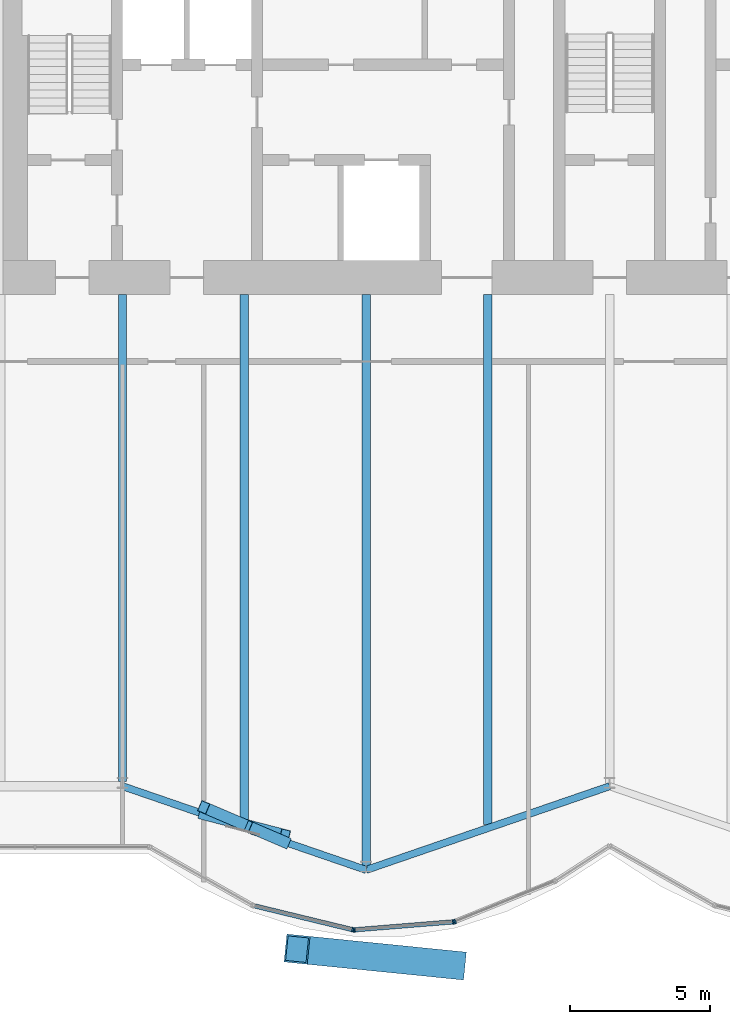
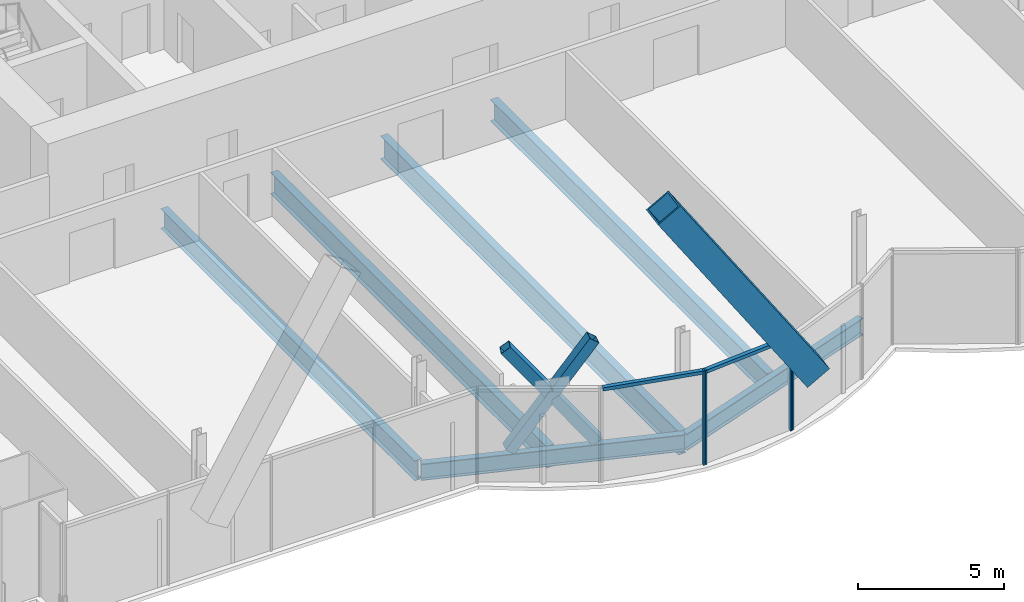
# One storey, part 6 of 21: 10 members, 6 beams, 1 element without a shape of its own.
"""IFC4 building model written with IfcOpenShell, lengths in metres."""

from ifc_helpers import new_model, si_unit, direction, frame, origin, origin_2d, place, context, subcontext, project, spatial, rectangle, hollow_rectangle, i_section, extrude, material, material_profile, profile_set, type_object, element, aggregate, save


model = new_model("IFC4")

# Units and contexts
model_context = context("Model", 3, precision=1e-05, world=origin(), true_north=direction((0.0, 1.0)))
body_context = subcontext(model_context, "Body", "Model", "MODEL_VIEW")
ifc_project = project(units=[si_unit("LENGTHUNIT", "METRE"), si_unit("AREAUNIT", "SQUARE_METRE"), si_unit("VOLUMEUNIT", "CUBIC_METRE"), si_unit("PLANEANGLEUNIT", "RADIAN"), si_unit("MASSUNIT", "GRAM", prefix="KILO")], contexts=[model_context])

# Site, building, storey
site_placement = place(None, origin())
site = spatial("IfcSite", under=ifc_project, at=site_placement, CompositionType="ELEMENT")
building_placement = place(site_placement, origin())
building = spatial("IfcBuilding", under=site, at=building_placement, Name="Bicima Exchange Tower", CompositionType="ELEMENT")
storey_placement = place(building_placement, frame((0.0, 0.0, 195.0)))
storey = spatial("IfcBuildingStorey", under=building, at=storey_placement, Name="L43", CompositionType="ELEMENT", Elevation=195.0)

# Member
ifc_material_1 = material(Name="Steel ASTM A572 Gr 50", Category="steel")
ifc_material_profile_1 = material_profile(ifc_material_1, hollow_rectangle(XDim=1.0, YDim=1.0, WallThickness=0.06005859375, at=origin_2d()))
ifc_profile_set_1 = profile_set([ifc_material_profile_1], Name="Steel ASTM A572 Gr 50")
member_type_1 = type_object("IfcMemberType", Name="Exo mega brace BOX 1000x1000x60", PredefinedType="BRACE", material=ifc_profile_set_1)
member_1_placement = place(storey_placement, frame((-5.583251953125, -36.955078125, 3.416748046875), z_axis=(-0.551958776189, 0.055582031551, 0.832016915187), x_axis=(-0.100192889286, -0.994968032118, 0.0)))
element("IfcMember", 1, at=member_1_placement, inside=storey, type_object=member_type_1, Name="Exo mega brace front", PredefinedType="BRACE", context=body_context, shape_type="SweptSolid", body=[
    extrude(hollow_rectangle(XDim=1.0, YDim=1.0, WallThickness=0.06005859375, at=origin_2d()), origin(), (0.0, 0.0, 1.0), 10.11572265625),
])

# Beams
ifc_material_2 = material(Name="Steel ASTM A992 Gr 50", Category="steel")
ifc_material_profile_2 = material_profile(ifc_material_2, i_section(OverallWidth=0.2919921875, OverallDepth=0.835693359375, WebThickness=0.013916015625, FlangeThickness=0.018798828125, at=origin_2d()))
ifc_profile_set_2 = profile_set([ifc_material_profile_2], Name="Steel ASTM A992 Gr 50")
beam_type_1 = type_object("IfcBeamType", Name="Floor beam W33x118", PredefinedType="JOIST", material=ifc_profile_set_2)
beam_1_placement = place(storey_placement, frame((-17.39990234375, -13.0, -0.56787109375), z_axis=(0.0, -1.0, 0.0), x_axis=(1.0, 0.0, 0.0)))
element("IfcBeam", 2, at=beam_1_placement, inside=storey, type_object=beam_type_1, Name="Floor beam", PredefinedType="JOIST", context=body_context, shape_type="SweptSolid", body=[
    extrude(i_section(OverallWidth=0.2919921875, OverallDepth=0.835693359375, WebThickness=0.013916015625, FlangeThickness=0.018798828125, at=origin_2d()), origin(), (0.0, 0.0, 1.0), 17.409423828125),
])
ifc_material_profile_3 = material_profile(ifc_material_2, i_section(OverallWidth=0.3046875, OverallDepth=0.904296875, WebThickness=0.01513671875, FlangeThickness=0.02001953125, at=origin_2d()))
ifc_profile_set_3 = profile_set([ifc_material_profile_3], Name="Steel ASTM A992 Gr 50")
beam_type_2 = type_object("IfcBeamType", Name="Floor beam W36x135", PredefinedType="JOIST", material=ifc_profile_set_3)
for number, where, z_axis, x_axis, name in (
    (3, (-13.050048828125, -13.0, -0.60205078125), (0.0, -1.0, 0.0), (1.0, 0.0, 0.0), "Floor beam"),
    (4, (-4.35009765625, -13.0, -0.60205078125), (0.0, -1.0, 0.0), (1.0, 0.0, 0.0), "Floor beam"),
):
    element("IfcBeam", number, at=place(storey_placement, frame(where, z_axis=z_axis, x_axis=x_axis)), inside=storey, type_object=beam_type_2, Name=name, PredefinedType="JOIST", context=body_context, shape_type="SweptSolid", body=[
        extrude(i_section(OverallWidth=0.3046875, OverallDepth=0.904296875, WebThickness=0.01513671875, FlangeThickness=0.02001953125, at=origin_2d()), origin(), (0.0, 0.0, 1.0), 18.931884765625),
    ])
ifc_material_profile_4 = material_profile(ifc_material_2, i_section(OverallWidth=0.2998046875, OverallDepth=0.97021484375, WebThickness=0.01611328125, FlangeThickness=0.02099609375, at=origin_2d()))
ifc_profile_set_4 = profile_set([ifc_material_profile_4], Name="Steel ASTM A992 Gr 50")
beam_type_3 = type_object("IfcBeamType", Name="Floor beam W40x149", PredefinedType="JOIST", material=ifc_profile_set_4)
beam_2_placement = place(storey_placement, frame((-8.699951171875, -13.0, -0.635009765625), z_axis=(0.0, -1.0, 0.0), x_axis=(1.0, 0.0, 0.0)))
element("IfcBeam", 5, at=beam_2_placement, inside=storey, type_object=beam_type_3, Name="Floor beam", PredefinedType="JOIST", context=body_context, shape_type="SweptSolid", body=[
    extrude(i_section(OverallWidth=0.2998046875, OverallDepth=0.97021484375, WebThickness=0.01611328125, FlangeThickness=0.02099609375, at=origin_2d()), origin(), (0.0, 0.0, 1.0), 20.427490234375),
])
ifc_material_profile_5 = material_profile(ifc_material_2, i_section(OverallWidth=0.256591796875, OverallDepth=0.693359375, WebThickness=0.014404296875, FlangeThickness=0.023681640625, at=origin_2d()))
ifc_profile_set_5 = profile_set([ifc_material_profile_5], Name="Steel ASTM A992 Gr 50")
beam_type_4 = type_object("IfcBeamType", Name="Front girder W27x114", PredefinedType="BEAM", material=ifc_profile_set_5)
for number, where, z_axis, x_axis, name in (
    (6, (-17.39990234375, -30.572021484375, -0.49658203125), (0.945674616091, -0.32511462668, 0.0), (0.32511462668, 0.945674616091, 0.0), "Front girder"),
    (7, (-8.699951171875, -33.56298828125, -0.49658203125), (0.945674616091, 0.32511462668, 0.0), (-0.32511462668, 0.945674616091, 0.0), "Front girder"),
):
    element("IfcBeam", number, at=place(storey_placement, frame(where, z_axis=z_axis, x_axis=x_axis)), inside=storey, type_object=beam_type_4, Name=name, PredefinedType="BEAM", context=body_context, shape_type="SweptSolid", body=[
        extrude(i_section(OverallWidth=0.256591796875, OverallDepth=0.693359375, WebThickness=0.014404296875, FlangeThickness=0.023681640625, at=origin_2d()), origin(), (0.0, 0.0, 1.0), 9.19970703125),
    ])

# Curtain wall, members
ifc_material_3 = material(Name="Anodised bronze aluminium", Category="aluminium")
curtain_wall_type = type_object("IfcCurtainWallType", Name="Front glass wall", PredefinedType="NOTDEFINED", material=ifc_material_3)
curtain_wall_placement = place(storey_placement, origin())
curtain_wall = element("IfcCurtainWall", 8, at=curtain_wall_placement, inside=storey, type_object=curtain_wall_type, Name="Front glass wall L43 run 6", PredefinedType="NOTDEFINED")
ifc_material_profile_6 = material_profile(ifc_material_3, rectangle(XDim=0.159912109375, YDim=0.06005859375, at=origin_2d()))
ifc_profile_set_6 = profile_set([ifc_material_profile_6], Name="Anodised bronze aluminium")
member_type_2 = type_object("IfcMemberType", Name="Front glass wall mullion 60 x 160", PredefinedType="MULLION", material=ifc_profile_set_6)
member_2_placement = place(storey_placement, frame((-9.177490234375, -35.697998046875, 0.0), z_axis=(0.0, 0.0, 1.0), x_axis=(0.235681529503, 0.971830343553, 0.0)))
member_2 = element("IfcMember", 9, at=member_2_placement, type_object=member_type_2, Name="Front glass wall mullion 2", PredefinedType="MULLION", context=body_context, shape_type="SweptSolid", body=[
    extrude(rectangle(XDim=0.159912109375, YDim=0.06005859375, at=origin_2d()), origin(), (0.0, 0.0, 1.0), 3.949951171875),
])
member_3_placement = place(storey_placement, frame((-9.118408203125, -35.70263671875, 0.0), z_axis=(0.0, 0.0, 1.0), x_axis=(-0.080588612633, 0.99674744821, 0.0)))
member_3 = element("IfcMember", 10, at=member_3_placement, type_object=member_type_2, Name="Front glass wall mullion 1", PredefinedType="MULLION", context=body_context, shape_type="SweptSolid", body=[
    extrude(rectangle(XDim=0.159912109375, YDim=0.06005859375, at=origin_2d()), origin(), (0.0, 0.0, 1.0), 3.949951171875),
])
member_4_placement = place(storey_placement, frame((-5.583984375, -35.416748046875, 0.0), z_axis=(0.0, 0.0, 1.0), x_axis=(-0.080588612633, 0.99674744821, 0.0)))
member_4 = element("IfcMember", 11, at=member_4_placement, type_object=member_type_2, Name="Front glass wall mullion 2", PredefinedType="MULLION", context=body_context, shape_type="SweptSolid", body=[
    extrude(rectangle(XDim=0.159912109375, YDim=0.06005859375, at=origin_2d()), origin(), (0.0, 0.0, 1.0), 3.949951171875),
])
member_5_placement = place(storey_placement, frame((-5.526123046875, -35.4033203125, 0.0), z_axis=(0.0, 0.0, 1.0), x_axis=(-0.374705304, 0.92714396679, 0.0)))
member_5 = element("IfcMember", 12, at=member_5_placement, type_object=member_type_2, Name="Front glass wall mullion 1", PredefinedType="MULLION", context=body_context, shape_type="SweptSolid", body=[
    extrude(rectangle(XDim=0.159912109375, YDim=0.06005859375, at=origin_2d()), origin(), (0.0, 0.0, 1.0), 3.949951171875),
])
ifc_material_profile_7 = material_profile(ifc_material_3, rectangle(XDim=0.159912109375, YDim=0.139892578125, at=origin_2d()))
ifc_profile_set_7 = profile_set([ifc_material_profile_7], Name="Anodised bronze aluminium")
member_type_3 = type_object("IfcMemberType", Name="Front glass wall transom 140 x 160", PredefinedType="USERDEFINED", material=ifc_profile_set_7)
member_6_placement = place(storey_placement, frame((-12.68896484375, -34.84619140625, 3.8798828125), z_axis=(0.971817951661, -0.235732621477, 0.0), x_axis=(0.235732621477, 0.971817951661, 0.0)))
member_6 = element("IfcMember", 13, at=member_6_placement, type_object=member_type_3, Name="Front glass wall transom 1.1", ObjectType="TRANSOM", PredefinedType="USERDEFINED", context=body_context, shape_type="SweptSolid", body=[
    extrude(rectangle(XDim=0.159912109375, YDim=0.139892578125, at=origin_2d()), origin(), (0.0, 0.0, 1.0), 3.58349609375),
])
member_7_placement = place(storey_placement, frame((-9.08837890625, -35.7001953125, 3.8798828125), z_axis=(0.9967456465, 0.080610893699, 0.0), x_axis=(-0.080610893699, 0.9967456465, 0.0)))
member_7 = element("IfcMember", 14, at=member_7_placement, type_object=member_type_3, Name="Front glass wall transom 1.1", ObjectType="TRANSOM", PredefinedType="USERDEFINED", context=body_context, shape_type="SweptSolid", body=[
    extrude(rectangle(XDim=0.159912109375, YDim=0.139892578125, at=origin_2d()), origin(), (0.0, 0.0, 1.0), 3.48583984375),
])
aggregate(curtain_wall, [member_2, member_6, member_3, member_4, member_7, member_5])

# Members
ifc_material_profile_8 = material_profile(ifc_material_1, hollow_rectangle(XDim=0.406494140625, YDim=0.406494140625, WallThickness=0.0146484375, at=origin_2d()))
ifc_profile_set_8 = profile_set([ifc_material_profile_8], Name="Steel ASTM A572 Gr 50")
member_type_4 = type_object("IfcMemberType", Name="Mega brace HSS16x16x5/8", PredefinedType="BRACE", material=ifc_profile_set_8)
member_8_placement = place(storey_placement, frame((-14.5, -31.569091796875, 0.0), z_axis=(0.571060084049, -0.14826985176, 0.807407227776), x_axis=(0.251307155067, 0.967907389068, 0.0)))
element("IfcMember", 15, at=member_8_placement, inside=storey, type_object=member_type_4, Name="Mega brace front", PredefinedType="BRACE", context=body_context, shape_type="SweptSolid", body=[
    extrude(hollow_rectangle(XDim=0.406494140625, YDim=0.406494140625, WallThickness=0.0146484375, at=origin_2d()), origin(), (0.0, 0.0, 1.0), 5.078125),
])
member_9_placement = place(storey_placement, frame((-11.60009765625, -32.56591796875, 0.0), z_axis=(-0.560540440557, 0.239861482741, 0.792629095856), x_axis=(-0.393406365613, -0.919364689063, 0.0)))
element("IfcMember", 16, at=member_9_placement, inside=storey, type_object=member_type_4, Name="Mega brace front", PredefinedType="BRACE", context=body_context, shape_type="SweptSolid", body=[
    extrude(hollow_rectangle(XDim=0.406494140625, YDim=0.406494140625, WallThickness=0.0146484375, at=origin_2d()), origin(), (0.0, 0.0, 1.0), 2.449951171875),
])
member_10_placement = place(storey_placement, frame((-13.12646484375, -31.912841796875, 2.158203125), z_axis=(-0.560595374558, 0.239941994656, 0.792565874375), x_axis=(-0.393485379474, -0.919330874136, 0.0)))
element("IfcMember", 17, at=member_10_placement, inside=storey, type_object=member_type_4, Name="Mega brace front", PredefinedType="BRACE", context=body_context, shape_type="SweptSolid", body=[
    extrude(hollow_rectangle(XDim=0.406494140625, YDim=0.406494140625, WallThickness=0.0146484375, at=origin_2d()), origin(), (0.0, 0.0, 1.0), 2.4501953125),
])

save(model, "model.ifc")
